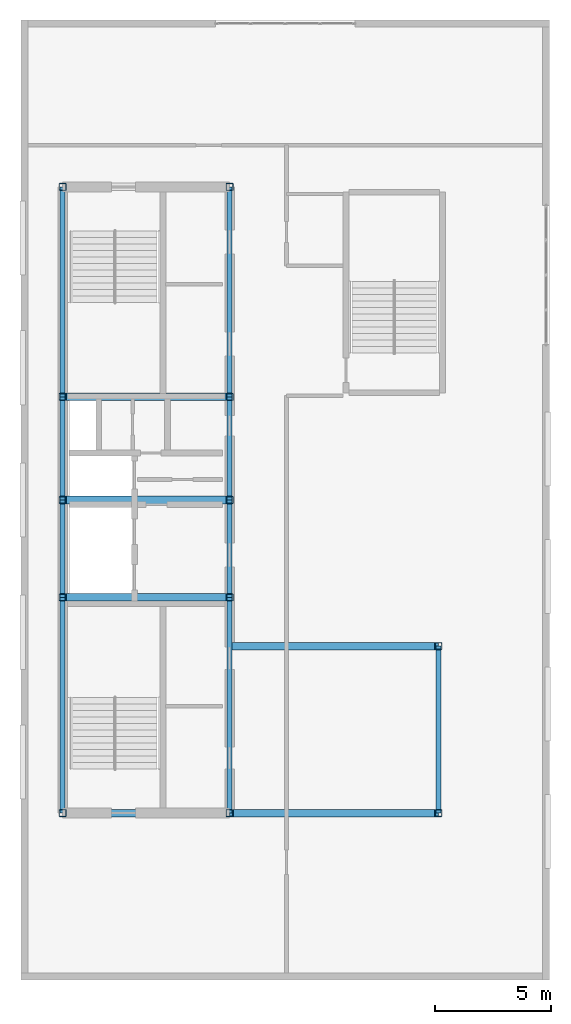
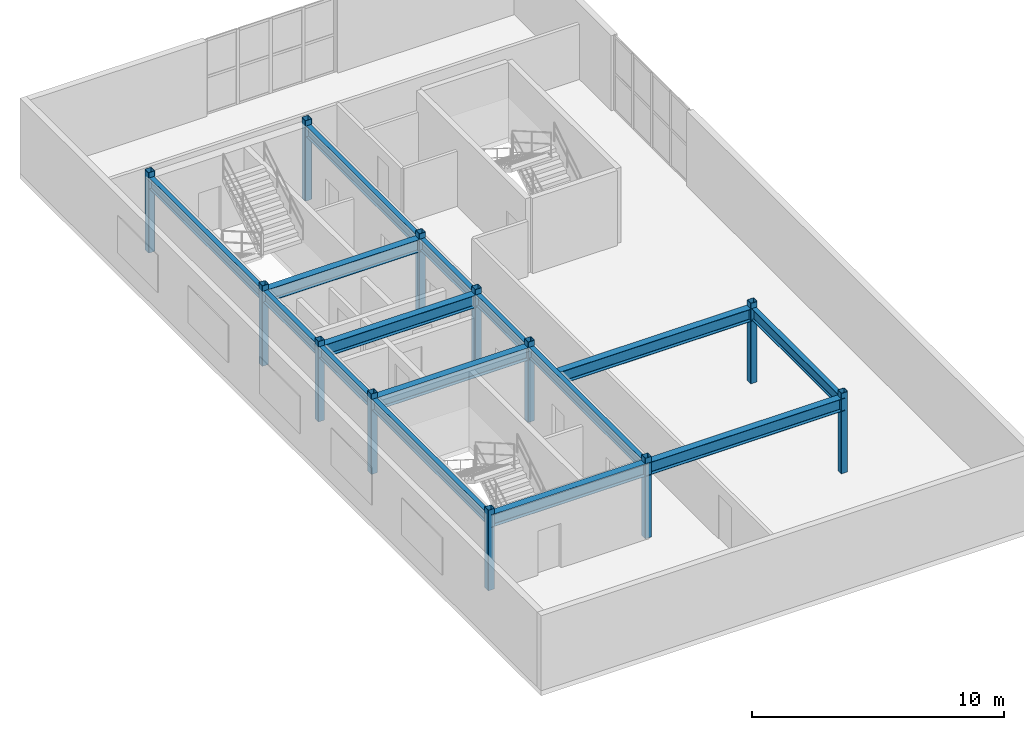
# One storey, part 1 of 7: 15 beams, 12 columns.
"""IFC4 building model written with IfcOpenShell, lengths in metres."""

from ifc_helpers import new_model, entity, si_unit, converted_unit, direction, frame, origin_with_axes, origin_2d_with_axis, place, context, subcontext, project, spatial, hollow_rectangle, i_section, extrude, material, material_profile, profile_set, type_object, element, save


model = new_model("IFC4")

# Units and contexts
model_context = context("Model", 3, precision=1e-05, world=origin_with_axes(), true_north=direction((0.0, 1.0)))
body_context = subcontext(model_context, "Body", "Model", "MODEL_VIEW")
ifc_project = project(units=[si_unit("LENGTHUNIT", "METRE"), si_unit("AREAUNIT", "SQUARE_METRE"), si_unit("VOLUMEUNIT", "CUBIC_METRE"), converted_unit("PLANEANGLEUNIT", "DEGREE", entity("IfcPlaneAngleMeasure", 0.017453292519943295), si_unit("PLANEANGLEUNIT", "RADIAN"), dimensions=[0, 0, 0, 0, 0, 0, 0]), si_unit("MASSUNIT", "GRAM", prefix="KILO"), si_unit("THERMODYNAMICTEMPERATUREUNIT", "KELVIN")], contexts=[model_context])

# Site, building, storey
site_placement = place(None, origin_with_axes())
site = spatial("IfcSite", under=ifc_project, at=site_placement, CompositionType="ELEMENT")
building_placement = place(site_placement, origin_with_axes())
building = spatial("IfcBuilding", under=site, at=building_placement, Name="Varnlund Millrace Tower", CompositionType="ELEMENT")
storey_placement = place(building_placement, frame((0.0, 0.0, 312.6), z_axis=(0.0, 0.0, 1.0), x_axis=(1.0, 0.0, 0.0)))
storey = spatial("IfcBuildingStorey", under=building, at=storey_placement, Name="L77", CompositionType="ELEMENT", Elevation=312.6)

# Columns
ifc_material_1 = material(Name="Steel ASTM A500 Grade C", Category="steel")
ifc_material_profile_1 = material_profile(ifc_material_1, hollow_rectangle(XDim=0.305, YDim=0.305, WallThickness=0.0147, InnerFilletRadius=0.015, OuterFilletRadius=0.03, at=origin_2d_with_axis()), Name="Steel ASTM A500 Grade C")
ifc_profile_set_1 = profile_set([ifc_material_profile_1], Name="Steel ASTM A500 Grade C")
column_type = type_object("IfcColumnType", Name="Type-Col-Crn-HSS12", PredefinedType="COLUMN", material=ifc_profile_set_1)
for number, where, z_axis, x_axis, name in (
    (1, (11.4, 10.8, 0.0), (0.0, 0.0, 1.0), (1.0, 0.0, 0.0), "Type-Col-Crn-HSS12"),
    (2, (11.4, 20.1, 0.0), (0.0, 0.0, 1.0), (1.0, 0.0, 0.0), "Type-Col-Crn-HSS12"),
    (3, (11.4, 24.3, 0.0), (0.0, 0.0, 1.0), (1.0, 0.0, 0.0), "Type-Col-Crn-HSS12"),
    (4, (11.4, 28.75, 0.0), (0.0, 0.0, 1.0), (1.0, 0.0, 0.0), "Type-Col-Crn-HSS12"),
    (5, (11.4, 37.8, 0.0), (0.0, 0.0, 1.0), (1.0, 0.0, 0.0), "Type-Col-Crn-HSS12"),
    (6, (18.6, 10.8, 0.0), (0.0, 0.0, 1.0), (1.0, 0.0, 0.0), "Type-Col-Crn-HSS12"),
    (7, (18.6, 20.1, 0.0), (0.0, 0.0, 1.0), (1.0, 0.0, 0.0), "Type-Col-Crn-HSS12"),
    (8, (18.6, 24.3, 0.0), (0.0, 0.0, 1.0), (1.0, 0.0, 0.0), "Type-Col-Crn-HSS12"),
    (9, (18.6, 28.75, 0.0), (0.0, 0.0, 1.0), (1.0, 0.0, 0.0), "Type-Col-Crn-HSS12"),
    (10, (18.6, 37.8, 0.0), (0.0, 0.0, 1.0), (1.0, 0.0, 0.0), "Type-Col-Crn-HSS12"),
    (11, (27.6, 10.8, 0.0), (0.0, 0.0, 1.0), (1.0, 0.0, 0.0), "Type-Col-Crn-HSS12"),
    (12, (27.6, 18.0, 0.0), (0.0, 0.0, 1.0), (1.0, 0.0, 0.0), "Type-Col-Crn-HSS12"),
):
    element("IfcColumn", number, at=place(storey_placement, frame(where, z_axis=z_axis, x_axis=x_axis)), inside=storey, type_object=column_type, Name=name, PredefinedType="COLUMN", context=body_context, shape_type="SweptSolid", body=[
        extrude(hollow_rectangle(XDim=0.305, YDim=0.305, WallThickness=0.0147, InnerFilletRadius=0.015, OuterFilletRadius=0.03, at=origin_2d_with_axis()), origin_with_axes(), (0.0, 0.0, 1.0), 3.9),
    ])

# Beams
ifc_material_2 = material(Name="Steel ASTM A992 Grade 50", Category="steel")
ifc_material_profile_2 = material_profile(ifc_material_2, i_section(OverallWidth=0.214, OverallDepth=0.549, WebThickness=0.0147, FlangeThickness=0.0236, FilletRadius=0.015, at=origin_2d_with_axis()), Name="Steel ASTM A992 Grade 50")
ifc_profile_set_2 = profile_set([ifc_material_profile_2], Name="Steel ASTM A992 Grade 50")
beam_type_1 = type_object("IfcBeamType", Name="Type-Beam-W21X93", PredefinedType="BEAM", material=ifc_profile_set_2)
beam_1_placement = place(storey_placement, frame((11.4, 10.8, 3.3655), z_axis=(0.0, 1.0, 0.0), x_axis=(-1.0, 0.0, 0.0)))
element("IfcBeam", 13, at=beam_1_placement, inside=storey, type_object=beam_type_1, Name="Type-Beam-W21X93", PredefinedType="BEAM", context=body_context, shape_type="SweptSolid", body=[
    extrude(i_section(OverallWidth=0.214, OverallDepth=0.549, WebThickness=0.0147, FlangeThickness=0.0236, FilletRadius=0.015, at=origin_2d_with_axis()), origin_with_axes(), (0.0, 0.0, 1.0), 9.3),
])
beam_2_placement = place(storey_placement, frame((11.4, 20.1, 3.3655), z_axis=(0.0, 1.0, 0.0), x_axis=(-1.0, 0.0, 0.0)))
element("IfcBeam", 14, at=beam_2_placement, inside=storey, type_object=beam_type_1, Name="Type-Beam-W21X93", PredefinedType="BEAM", context=body_context, shape_type="SweptSolid", body=[
    extrude(i_section(OverallWidth=0.214, OverallDepth=0.549, WebThickness=0.0147, FlangeThickness=0.0236, FilletRadius=0.015, at=origin_2d_with_axis()), origin_with_axes(), (0.0, 0.0, 1.0), 4.2),
])
beam_3_placement = place(storey_placement, frame((11.4, 24.3, 3.3655), z_axis=(0.0, 1.0, 0.0), x_axis=(-1.0, 0.0, 0.0)))
element("IfcBeam", 15, at=beam_3_placement, inside=storey, type_object=beam_type_1, Name="Type-Beam-W21X93", PredefinedType="BEAM", context=body_context, shape_type="SweptSolid", body=[
    extrude(i_section(OverallWidth=0.214, OverallDepth=0.549, WebThickness=0.0147, FlangeThickness=0.0236, FilletRadius=0.015, at=origin_2d_with_axis()), origin_with_axes(), (0.0, 0.0, 1.0), 4.45),
])
beam_4_placement = place(storey_placement, frame((11.4, 28.75, 3.3655), z_axis=(0.0, 1.0, 0.0), x_axis=(-1.0, 0.0, 0.0)))
element("IfcBeam", 16, at=beam_4_placement, inside=storey, type_object=beam_type_1, Name="Type-Beam-W21X93", PredefinedType="BEAM", context=body_context, shape_type="SweptSolid", body=[
    extrude(i_section(OverallWidth=0.214, OverallDepth=0.549, WebThickness=0.0147, FlangeThickness=0.0236, FilletRadius=0.015, at=origin_2d_with_axis()), origin_with_axes(), (0.0, 0.0, 1.0), 9.05),
])
beam_5_placement = place(storey_placement, frame((18.6, 10.8, 3.3655), z_axis=(0.0, 1.0, 0.0), x_axis=(-1.0, 0.0, 0.0)))
element("IfcBeam", 17, at=beam_5_placement, inside=storey, type_object=beam_type_1, Name="Type-Beam-W21X93", PredefinedType="BEAM", context=body_context, shape_type="SweptSolid", body=[
    extrude(i_section(OverallWidth=0.214, OverallDepth=0.549, WebThickness=0.0147, FlangeThickness=0.0236, FilletRadius=0.015, at=origin_2d_with_axis()), origin_with_axes(), (0.0, 0.0, 1.0), 9.3),
])
beam_6_placement = place(storey_placement, frame((18.6, 20.1, 3.3655), z_axis=(0.0, 1.0, 0.0), x_axis=(-1.0, 0.0, 0.0)))
element("IfcBeam", 18, at=beam_6_placement, inside=storey, type_object=beam_type_1, Name="Type-Beam-W21X93", PredefinedType="BEAM", context=body_context, shape_type="SweptSolid", body=[
    extrude(i_section(OverallWidth=0.214, OverallDepth=0.549, WebThickness=0.0147, FlangeThickness=0.0236, FilletRadius=0.015, at=origin_2d_with_axis()), origin_with_axes(), (0.0, 0.0, 1.0), 4.2),
])
beam_7_placement = place(storey_placement, frame((18.6, 24.3, 3.3655), z_axis=(0.0, 1.0, 0.0), x_axis=(-1.0, 0.0, 0.0)))
element("IfcBeam", 19, at=beam_7_placement, inside=storey, type_object=beam_type_1, Name="Type-Beam-W21X93", PredefinedType="BEAM", context=body_context, shape_type="SweptSolid", body=[
    extrude(i_section(OverallWidth=0.214, OverallDepth=0.549, WebThickness=0.0147, FlangeThickness=0.0236, FilletRadius=0.015, at=origin_2d_with_axis()), origin_with_axes(), (0.0, 0.0, 1.0), 4.45),
])
beam_8_placement = place(storey_placement, frame((18.6, 28.75, 3.3655), z_axis=(0.0, 1.0, 0.0), x_axis=(-1.0, 0.0, 0.0)))
element("IfcBeam", 20, at=beam_8_placement, inside=storey, type_object=beam_type_1, Name="Type-Beam-W21X93", PredefinedType="BEAM", context=body_context, shape_type="SweptSolid", body=[
    extrude(i_section(OverallWidth=0.214, OverallDepth=0.549, WebThickness=0.0147, FlangeThickness=0.0236, FilletRadius=0.015, at=origin_2d_with_axis()), origin_with_axes(), (0.0, 0.0, 1.0), 9.05),
])
beam_9_placement = place(storey_placement, frame((27.6, 10.8, 3.3655), z_axis=(0.0, 1.0, 0.0), x_axis=(-1.0, 0.0, 0.0)))
element("IfcBeam", 21, at=beam_9_placement, inside=storey, type_object=beam_type_1, Name="Type-Beam-W21X93", PredefinedType="BEAM", context=body_context, shape_type="SweptSolid", body=[
    extrude(i_section(OverallWidth=0.214, OverallDepth=0.549, WebThickness=0.0147, FlangeThickness=0.0236, FilletRadius=0.015, at=origin_2d_with_axis()), origin_with_axes(), (0.0, 0.0, 1.0), 7.2),
])
ifc_material_profile_3 = material_profile(ifc_material_2, i_section(OverallWidth=0.324, OverallDepth=0.611, WebThickness=0.0127, FlangeThickness=0.0191, FilletRadius=0.016, at=origin_2d_with_axis()), Name="Steel ASTM A992 Grade 50")
ifc_profile_set_3 = profile_set([ifc_material_profile_3], Name="Steel ASTM A992 Grade 50")
beam_type_2 = type_object("IfcBeamType", Name="Type-Girder-W24X104", PredefinedType="USERDEFINED", material=ifc_profile_set_3)
beam_10_placement = place(storey_placement, frame((11.4, 10.8, 3.3345), z_axis=(1.0, 0.0, 0.0), x_axis=(0.0, 1.0, 0.0)))
element("IfcBeam", 22, at=beam_10_placement, inside=storey, type_object=beam_type_2, Name="Type-Girder-W24X104", ObjectType="GIRDER", PredefinedType="USERDEFINED", context=body_context, shape_type="SweptSolid", body=[
    extrude(i_section(OverallWidth=0.324, OverallDepth=0.611, WebThickness=0.0127, FlangeThickness=0.0191, FilletRadius=0.016, at=origin_2d_with_axis()), origin_with_axes(), (0.0, 0.0, 1.0), 7.2),
])
for number, where, z_axis, x_axis, name in (
    (23, (18.6, 10.8, 3.3345), (1.0, 0.0, 0.0), (0.0, 1.0, 0.0), "Type-Girder-W24X104"),
    (24, (18.6, 18.0, 3.3345), (1.0, 0.0, 0.0), (0.0, 1.0, 0.0), "Type-Girder-W24X104"),
):
    element("IfcBeam", number, at=place(storey_placement, frame(where, z_axis=z_axis, x_axis=x_axis)), inside=storey, type_object=beam_type_2, Name=name, ObjectType="GIRDER", PredefinedType="USERDEFINED", context=body_context, shape_type="SweptSolid", body=[
        extrude(i_section(OverallWidth=0.324, OverallDepth=0.611, WebThickness=0.0127, FlangeThickness=0.0191, FilletRadius=0.016, at=origin_2d_with_axis()), origin_with_axes(), (0.0, 0.0, 1.0), 9.0),
    ])
for number, where, z_axis, x_axis, name in (
    (25, (11.4, 20.1, 3.3345), (1.0, 0.0, 0.0), (0.0, 1.0, 0.0), "Type-Girder-W24X104"),
    (26, (11.4, 24.3, 3.3345), (1.0, 0.0, 0.0), (0.0, 1.0, 0.0), "Type-Girder-W24X104"),
    (27, (11.4, 28.75, 3.3345), (1.0, 0.0, 0.0), (0.0, 1.0, 0.0), "Type-Girder-W24X104"),
):
    element("IfcBeam", number, at=place(storey_placement, frame(where, z_axis=z_axis, x_axis=x_axis)), inside=storey, type_object=beam_type_2, Name=name, ObjectType="GIRDER", PredefinedType="USERDEFINED", context=body_context, shape_type="SweptSolid", body=[
        extrude(i_section(OverallWidth=0.324, OverallDepth=0.611, WebThickness=0.0127, FlangeThickness=0.0191, FilletRadius=0.016, at=origin_2d_with_axis()), origin_with_axes(), (0.0, 0.0, 1.0), 7.2),
    ])

save(model, "model.ifc")
